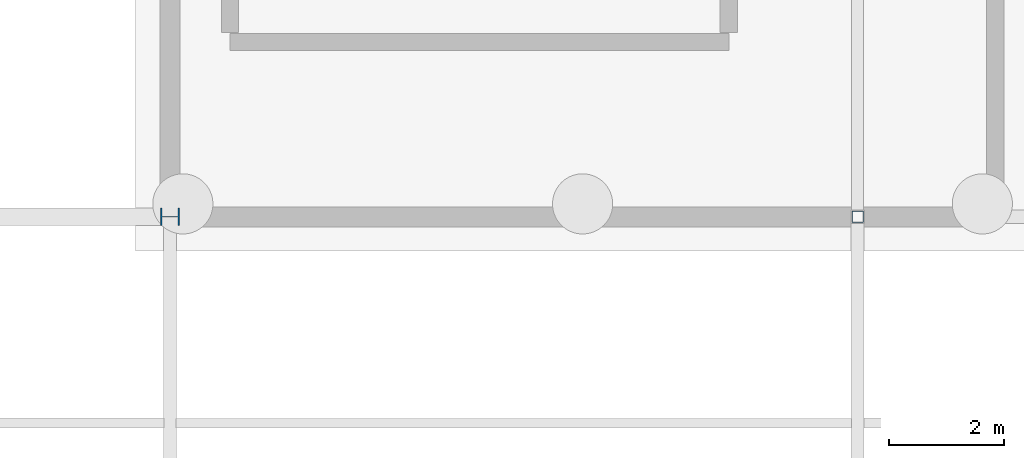
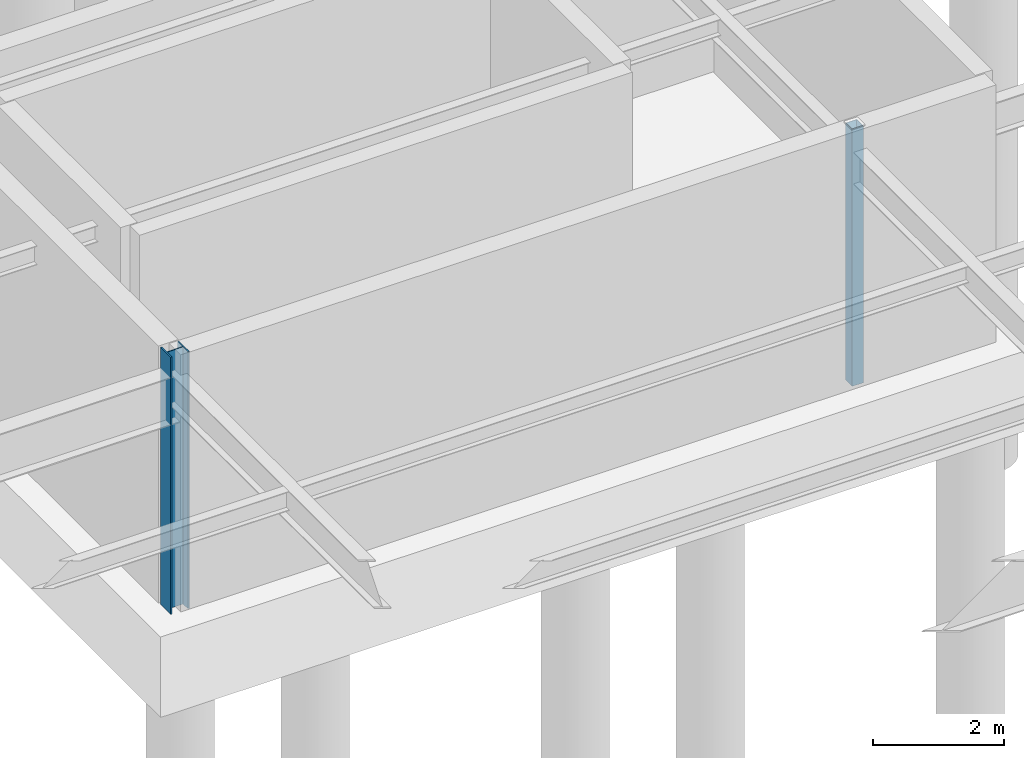
# One storey, part 48 of 136: 2 columns.
"""IFC4 building model written with IfcOpenShell, lengths in metres."""

from ifc_helpers import new_model, si_unit, direction, frame, origin, origin_2d, place, context, subcontext, project, spatial, hollow_rectangle, i_section, extrude, material, material_profile, profile_set, type_object, element, save


model = new_model("IFC4")

# Units and contexts
model_context = context("Model", 3, precision=1e-05, world=origin(), true_north=direction((0.0, 1.0)))
body_context = subcontext(model_context, "Body", "Model", "MODEL_VIEW")
ifc_project = project(units=[si_unit("LENGTHUNIT", "METRE"), si_unit("AREAUNIT", "SQUARE_METRE"), si_unit("VOLUMEUNIT", "CUBIC_METRE"), si_unit("PLANEANGLEUNIT", "RADIAN"), si_unit("MASSUNIT", "GRAM", prefix="KILO")], contexts=[model_context])

# Site, building, storey
site_placement = place(None, origin())
site = spatial("IfcSite", under=ifc_project, at=site_placement, CompositionType="ELEMENT")
building_placement = place(site_placement, origin())
building = spatial("IfcBuilding", under=site, at=building_placement, Name="Tarnwether General Hospital", CompositionType="ELEMENT")
storey_placement = place(building_placement, frame((0.0, 0.0, -4.800048828125)))
storey = spatial("IfcBuildingStorey", under=building, at=storey_placement, Name="LG", CompositionType="ELEMENT", Elevation=-4.800048828125)

# Columns
ifc_material_1 = material(Name="Steel Grade 350 (350 MPa)", Category="steel")
ifc_material_profile_1 = material_profile(ifc_material_1, i_section(OverallWidth=0.31103515625, OverallDepth=0.326904296875, WebThickness=0.015625, FlangeThickness=0.02490234375, at=origin_2d()), Name="310UC158")
ifc_profile_set_1 = profile_set([ifc_material_profile_1], Name="Steel Grade 350 (350 MPa)")
column_type_1 = type_object("IfcColumnType", Name="COL-05", PredefinedType="COLUMN", material=ifc_profile_set_1)
column_1_placement = place(storey_placement, frame((156.0, 21.60009765625, 0.0), z_axis=(0.0, 0.0, 1.0), x_axis=(0.0, 1.0, 0.0)))
element("IfcColumn", 1, at=column_1_placement, inside=storey, type_object=column_type_1, Name="Column COLG-LG-15600_2160", PredefinedType="COLUMN", context=body_context, shape_type="SweptSolid", body=[
    extrude(i_section(OverallWidth=0.31103515625, OverallDepth=0.326904296875, WebThickness=0.015625, FlangeThickness=0.02490234375, at=origin_2d()), origin(), (0.0, 0.0, 1.0), 4.800048828125),
])
ifc_material_2 = material(Name="Steel Grade C350L0 (350 MPa)", Category="steel")
ifc_material_profile_2 = material_profile(ifc_material_2, hollow_rectangle(XDim=0.199951171875, YDim=0.199951171875, WallThickness=0.010009765625, at=origin_2d()), Name="SHS200x200x10")
ifc_profile_set_2 = profile_set([ifc_material_profile_2], Name="Steel Grade C350L0 (350 MPa)")
column_type_2 = type_object("IfcColumnType", Name="COL-15", PredefinedType="COLUMN", material=ifc_profile_set_2)
column_2_placement = place(storey_placement, frame((168.0, 21.60009765625, 0.0), z_axis=(0.0, 0.0, 1.0), x_axis=(1.0, 0.0, 0.0)))
element("IfcColumn", 2, at=column_2_placement, inside=storey, type_object=column_type_2, Name="Column COLG-LG-16800_2160", PredefinedType="COLUMN", context=body_context, shape_type="SweptSolid", body=[
    extrude(hollow_rectangle(XDim=0.199951171875, YDim=0.199951171875, WallThickness=0.010009765625, at=origin_2d()), origin(), (0.0, 0.0, 1.0), 4.800048828125),
])

save(model, "model.ifc")
